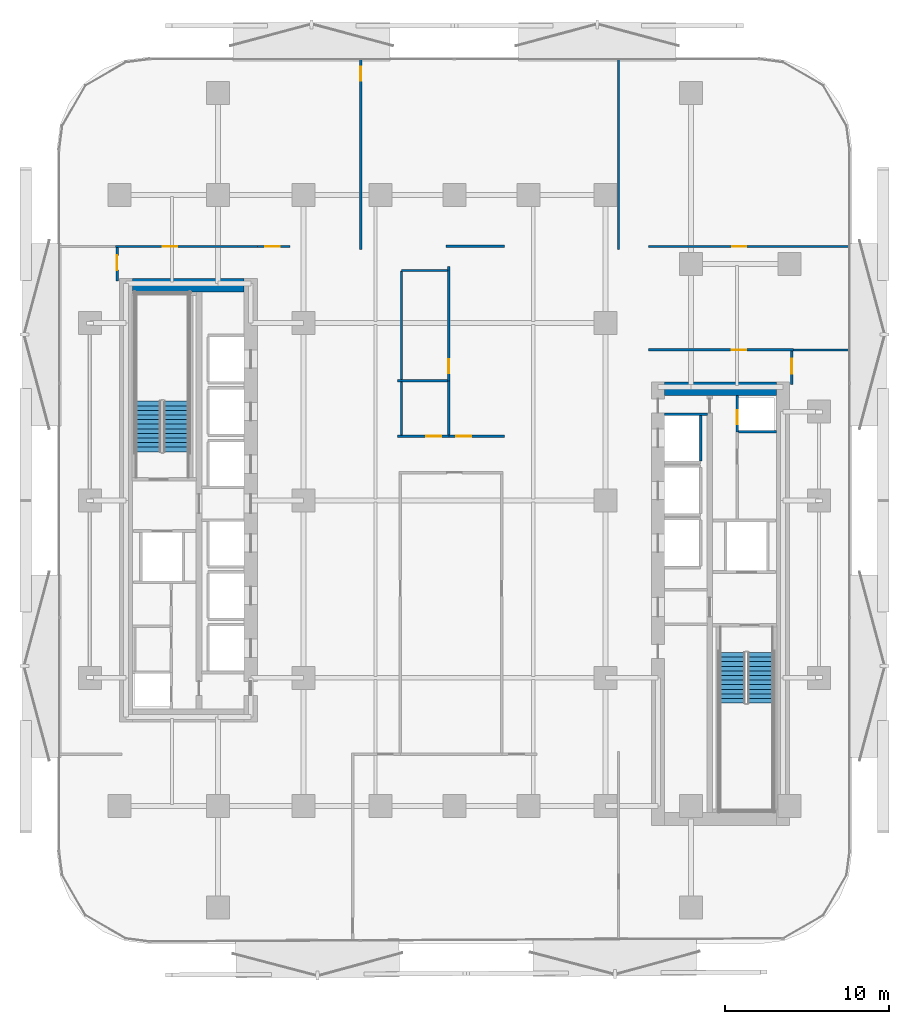
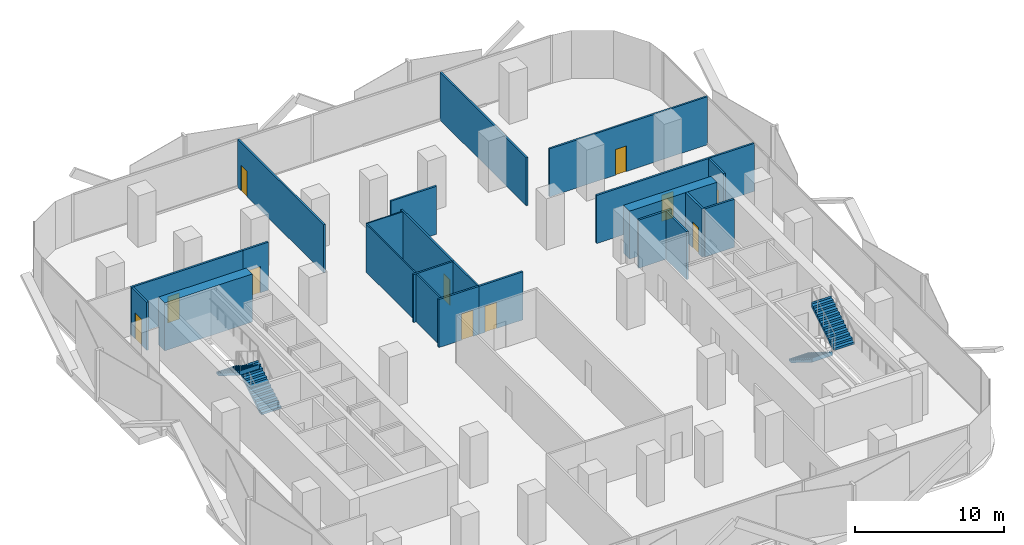
# One storey, part 5 of 15: 24 walls, 11 doors, 4 stair flights, 11 openings, 2 elements without a shape of their own.
"""IFC4 building model written with IfcOpenShell, lengths in metres."""

from ifc_helpers import new_model, si_unit, direction, frame, frame_2d, origin, place, context, subcontext, project, spatial, polyline, rectangle, outline, extrude, material, layer, layer_set, type_object, element, fill, aggregate, save


model = new_model("IFC4")

# Units and contexts
model_context = context("Model", 3, precision=1e-05, world=origin(), true_north=direction((0.0, 1.0)))
body_context = subcontext(model_context, "Body", "Model", "MODEL_VIEW")
ifc_project = project(units=[si_unit("LENGTHUNIT", "METRE"), si_unit("AREAUNIT", "SQUARE_METRE"), si_unit("VOLUMEUNIT", "CUBIC_METRE"), si_unit("PLANEANGLEUNIT", "RADIAN"), si_unit("MASSUNIT", "GRAM", prefix="KILO")], contexts=[model_context])

# Site, building, storey
site_placement = place(None, origin())
site = spatial("IfcSite", under=ifc_project, at=site_placement, CompositionType="ELEMENT")
building_placement = place(site_placement, origin())
building = spatial("IfcBuilding", under=site, at=building_placement, Name="Khairoan Windgate Tower", CompositionType="ELEMENT")
storey_placement = place(building_placement, frame((0.0, 0.0, 47.0)))
storey = spatial("IfcBuildingStorey", under=building, at=storey_placement, Name="L11", CompositionType="ELEMENT", Elevation=47.0)

# Walls
ifc_material_1 = material(Name="Moisture-Resistant Gypsum Partition", Category="gypsum")
ifc_layer_1 = layer(ifc_material_1, 0.10009765625, Name="Moisture-Resistant Gypsum Partition")
ifc_layer_set_1 = layer_set([ifc_layer_1], Name="Moisture-Resistant Gypsum Partition")
wall_type_1 = type_object("IfcWallType", Name="Bathroom Wet-Area Partition Wall", PredefinedType="PARTITIONING", material=ifc_layer_set_1)
wall_1_placement = place(storey_placement, frame((-3.219970703125, 3.97998046875, 0.0), z_axis=(0.0, 0.0, 1.0), x_axis=(0.0, 1.0, 0.0)))
element("IfcWall", 1, at=wall_1_placement, inside=storey, type_object=wall_type_1, Name="L11 Wet Room Side Wall 035", PredefinedType="PARTITIONING", context=body_context, shape_type="SweptSolid", body=[
    extrude(rectangle(XDim=3.22998046875, YDim=0.10009765625, at=frame_2d((1.614990234375, 0.0))), origin(), (0.0, 0.0, 1.0), 3.93994140625),
])
wall_2_placement = place(storey_placement, frame((-3.219970703125, 14.0, 0.0), z_axis=(0.0, 0.0, 1.0), x_axis=(1.0, 0.0, 0.0)))
element("IfcWall", 2, at=wall_2_placement, inside=storey, type_object=wall_type_1, Name="L11 Wet Room Side Wall 036", PredefinedType="PARTITIONING", context=body_context, shape_type="SweptSolid", body=[
    extrude(rectangle(XDim=2.81005859375, YDim=0.10009765625, at=frame_2d((1.405029296875, 0.0))), origin(), (0.0, 0.0, 1.0), 3.93994140625),
])
wall_3_placement = place(storey_placement, frame((-3.219970703125, 7.35009765625, 0.0), z_axis=(0.0, 0.0, 1.0), x_axis=(0.0, 1.0, 0.0)))
element("IfcWall", 3, at=wall_3_placement, inside=storey, type_object=wall_type_1, Name="L11 Wet Room Side Wall 037", PredefinedType="PARTITIONING", context=body_context, shape_type="SweptSolid", body=[
    extrude(rectangle(XDim=6.599853515625, YDim=0.10009765625, at=frame_2d((3.2998046875, 0.0))), origin(), (0.0, 0.0, 1.0), 3.93994140625),
])
ifc_material_2 = material(Name="Concrete C40/50", Category="concrete")
ifc_layer_2 = layer(ifc_material_2, 0.159912109375, Name="Concrete C40/50")
ifc_layer_set_2 = layer_set([ifc_layer_2], Name="Concrete C40/50")
wall_type_2 = type_object("IfcWallType", Name="Core and Hoistway Enclosure Wall", PredefinedType="STANDARD", material=ifc_layer_set_2)
wall_4_placement = place(storey_placement, frame((14.989990234375, 2.39990234375, 0.0), z_axis=(0.0, 0.0, 1.0), x_axis=(0.0, 1.0, 0.0)))
element("IfcWall", 4, at=wall_4_placement, inside=storey, type_object=wall_type_2, Name="L11 Lift PL7 Hoistway Back Wall", PredefinedType="STANDARD", context=body_context, shape_type="SweptSolid", body=[
    extrude(rectangle(XDim=2.800048828125, YDim=0.159912109375, at=frame_2d((1.39990234375, 0.0))), origin(), (0.0, 0.0, 1.0), 3.93994140625),
])
wall_5_placement = place(storey_placement, frame((12.800048828125, 5.25, 0.0), z_axis=(0.0, 0.0, 1.0), x_axis=(1.0, 0.0, 0.0)))
element("IfcWall", 5, at=wall_5_placement, inside=storey, type_object=wall_type_2, Name="L11 Core Shaft Wall SW-ESV-L11", PredefinedType="STANDARD", context=body_context, shape_type="SweptSolid", body=[
    extrude(rectangle(XDim=2.599853515625, YDim=0.159912109375, at=frame_2d((1.2998046875, 0.0))), origin(), (0.0, 0.0, 1.0), 3.93994140625),
])
ifc_material_3 = material(Name="Acoustic Fire-Rated Gypsum Partition", Category="gypsum")
ifc_layer_3 = layer(ifc_material_3, 0.139892578125, Name="Acoustic Fire-Rated Gypsum Partition")
ifc_layer_set_3 = layer_set([ifc_layer_3], Name="Acoustic Fire-Rated Gypsum Partition")
wall_type_3 = type_object("IfcWallType", Name="Inter-Tenancy Compartment Wall", PredefinedType="PARTITIONING", material=ifc_layer_set_3)
wall_6_placement = place(storey_placement, frame((20.639892578125, 9.159912109375, 0.0), z_axis=(0.0, 0.0, 1.0), x_axis=(1.0, 0.0, 0.0)))
element("IfcWall", 6, at=wall_6_placement, inside=storey, type_object=wall_type_3, Name="L11 Interior Partition 023", PredefinedType="PARTITIONING", context=body_context, shape_type="SweptSolid", body=[
    extrude(rectangle(XDim=3.4150390625, YDim=0.139892578125, at=frame_2d((1.70751953125, 0.0))), origin(), (0.0, 0.0, 1.0), 3.93994140625),
])

# Wall, opening, door
wall_7_placement = place(storey_placement, frame((11.81005859375, 15.4599609375, 0.0), z_axis=(0.0, 0.0, 1.0), x_axis=(1.0, 0.0, 0.0)))
wall_7 = element("IfcWall", 7, at=wall_7_placement, inside=storey, type_object=wall_type_3, Name="L11 Interior Partition 024", PredefinedType="PARTITIONING", context=body_context, shape_type="SweptSolid", body=[
    extrude(rectangle(XDim=12.244873046875, YDim=0.139892578125, at=frame_2d((6.12255859375, 0.0))), origin(), (0.0, 0.0, 1.0), 3.93994140625),
])
opening_1_placement = place(wall_7_placement, frame((5.09326171875, 0.0, 0.0)))
opening_1 = element("IfcOpeningElement", 8, at=opening_1_placement, cuts=wall_7, Name="Opening FD-SRV", PredefinedType="OPENING", context=body_context, shape_type="SweptSolid", body=[
    extrude(rectangle(XDim=0.85009765625, YDim=2.10009765625, at=frame_2d((0.425048828125, 1.050048828125))), frame((0.0, 0.079833984375, 0.0), z_axis=(0.0, -1.0, 0.0), x_axis=(1.0, 0.0, 0.0)), (0.0, 0.0, 1.0), 0.159912109375),
])
ifc_material_4 = material(Name="Steel S355", Category="steel")
door_type_1 = type_object("IfcDoorType", Name="Core Service and Riser Fire Door FD-SRV 850x2100", OperationType="NOTDEFINED", PredefinedType="DOOR", material=ifc_material_4)
door_1_placement = place(opening_1_placement, origin())
door_1 = element("IfcDoor", 9, at=door_1_placement, inside=storey, type_object=door_type_1, Name="L11 L11-37-L11-40 Door", OperationType="SINGLE_SWING_LEFT", OverallHeight=2.10009765625, OverallWidth=0.85009765625, PredefinedType="DOOR", context=body_context, shape_type="SweptSolid", body=[
    extrude(rectangle(XDim=0.85009765625, YDim=2.10009765625, at=frame_2d((0.425048828125, 1.050048828125))), frame((0.0, 0.02490234375, 0.0), z_axis=(0.0, -1.0, 0.0), x_axis=(1.0, 0.0, 0.0)), (0.0, 0.0, 1.0), 0.050048828125),
])
fill(opening_1, door_1)

wall_8_placement = place(storey_placement, frame((-5.7119140625, 15.280029296875, 0.0), z_axis=(0.0, 0.0, 1.0), x_axis=(0.0, 1.0, 0.0)))
wall_8 = element("IfcWall", 10, at=wall_8_placement, inside=storey, type_object=wall_type_3, Name="L11 Interior Partition 025", PredefinedType="PARTITIONING", context=body_context, shape_type="SweptSolid", body=[
    extrude(rectangle(XDim=11.574951171875, YDim=0.139892578125, at=frame_2d((5.78759765625, 0.0))), origin(), (0.0, 0.0, 1.0), 3.93994140625),
])
opening_2_placement = place(wall_8_placement, frame((10.264892578125, 0.0, 0.0)))
opening_2 = element("IfcOpeningElement", 11, at=opening_2_placement, cuts=wall_8, Name="Opening FD-SRV", PredefinedType="OPENING", context=body_context, shape_type="SweptSolid", body=[
    extrude(rectangle(XDim=0.85009765625, YDim=2.10009765625, at=frame_2d((0.425048828125, 1.050048828125))), frame((0.0, 0.079833984375, 0.0), z_axis=(0.0, -1.0, 0.0), x_axis=(1.0, 0.0, 0.0)), (0.0, 0.0, 1.0), 0.159912109375),
])
door_2_placement = place(opening_2_placement, origin())
door_2 = element("IfcDoor", 12, at=door_2_placement, inside=storey, type_object=door_type_1, Name="L11 L11-38-L11-39 Door", OperationType="SINGLE_SWING_RIGHT", OverallHeight=2.10009765625, OverallWidth=0.85009765625, PredefinedType="DOOR", context=body_context, shape_type="SweptSolid", body=[
    extrude(rectangle(XDim=0.85009765625, YDim=2.10009765625, at=frame_2d((0.425048828125, 1.050048828125))), frame((0.0, 0.02490234375, 0.0), z_axis=(0.0, -1.0, 0.0), x_axis=(1.0, 0.0, 0.0)), (0.0, 0.0, 1.0), 0.050048828125),
])
fill(opening_2, door_2)

# Walls
wall_9_placement = place(storey_placement, frame((9.99609375, 15.280029296875, 0.0), z_axis=(0.0, 0.0, 1.0), x_axis=(0.0, 1.0, 0.0)))
element("IfcWall", 13, at=wall_9_placement, inside=storey, type_object=wall_type_3, Name="L11 Interior Partition 026", PredefinedType="PARTITIONING", context=body_context, shape_type="SweptSolid", body=[
    extrude(rectangle(XDim=11.574951171875, YDim=0.139892578125, at=frame_2d((5.78759765625, 0.0))), origin(), (0.0, 0.0, 1.0), 3.93994140625),
])
wall_10_placement = place(storey_placement, frame((-0.5, 15.47998046875, 0.0), z_axis=(0.0, 0.0, 1.0), x_axis=(1.0, 0.0, 0.0)))
element("IfcWall", 14, at=wall_10_placement, inside=storey, type_object=wall_type_3, Name="L11 Interior Partition 027", PredefinedType="PARTITIONING", context=body_context, shape_type="SweptSolid", body=[
    extrude(rectangle(XDim=3.56005859375, YDim=0.139892578125, at=frame_2d((1.780029296875, 0.0))), origin(), (0.0, 0.0, 1.0), 3.93994140625),
])
wall_11_placement = place(storey_placement, frame((-3.4599609375, 7.280029296875, 0.0), z_axis=(0.0, 0.0, 1.0), x_axis=(1.0, 0.0, 0.0)))
element("IfcWall", 15, at=wall_11_placement, inside=storey, type_object=wall_type_3, Name="L11 Interior Partition 031", PredefinedType="PARTITIONING", context=body_context, shape_type="SweptSolid", body=[
    extrude(rectangle(XDim=3.050048828125, YDim=0.139892578125, at=frame_2d((1.52490234375, 0.0))), origin(), (0.0, 0.0, 1.0), 3.93994140625),
])
wall_12_placement = place(storey_placement, frame((-0.340087890625, 3.97998046875, 0.0), z_axis=(0.0, 0.0, 1.0), x_axis=(0.0, 1.0, 0.0)))
element("IfcWall", 16, at=wall_12_placement, inside=storey, type_object=wall_type_3, Name="L11 Interior Partition 032", PredefinedType="PARTITIONING", context=body_context, shape_type="SweptSolid", body=[
    extrude(rectangle(XDim=3.300048828125, YDim=0.139892578125, at=frame_2d((1.64990234375, 0.0))), origin(), (0.0, 0.0, 1.0), 3.93994140625),
])

# Wall, opening, door
wall_13_placement = place(storey_placement, frame((-0.340087890625, 7.280029296875, 0.0), z_axis=(0.0, 0.0, 1.0), x_axis=(0.0, 1.0, 0.0)))
wall_13 = element("IfcWall", 17, at=wall_13_placement, inside=storey, type_object=wall_type_3, Name="L11 Interior Partition 033", PredefinedType="PARTITIONING", context=body_context, shape_type="SweptSolid", body=[
    extrude(rectangle(XDim=6.9599609375, YDim=0.139892578125, at=frame_2d((3.47998046875, 0.0))), origin(), (0.0, 0.0, 1.0), 3.93994140625),
])
opening_3_placement = place(wall_13_placement, frame((0.4599609375, 0.0, 0.0)))
opening_3 = element("IfcOpeningElement", 18, at=opening_3_placement, cuts=wall_13, Name="Opening FD-SRV", PredefinedType="OPENING", context=body_context, shape_type="SweptSolid", body=[
    extrude(rectangle(XDim=0.85009765625, YDim=2.10009765625, at=frame_2d((0.425048828125, 1.050048828125))), frame((0.0, 0.079833984375, 0.0), z_axis=(0.0, -1.0, 0.0), x_axis=(1.0, 0.0, 0.0)), (0.0, 0.0, 1.0), 0.159912109375),
])
door_3_placement = place(opening_3_placement, origin())
door_3 = element("IfcDoor", 19, at=door_3_placement, inside=storey, type_object=door_type_1, Name="L11 L11-45-L11-46 Door", OperationType="SINGLE_SWING_LEFT", OverallHeight=2.10009765625, OverallWidth=0.85009765625, PredefinedType="DOOR", context=body_context, shape_type="SweptSolid", body=[
    extrude(rectangle(XDim=0.85009765625, YDim=2.10009765625, at=frame_2d((0.425048828125, 1.050048828125))), frame((0.0, 0.02490234375, 0.0), z_axis=(0.0, -1.0, 0.0), x_axis=(1.0, 0.0, 0.0)), (0.0, 0.0, 1.0), 0.050048828125),
])
fill(opening_3, door_3)

ifc_material_5 = material(Name="Concrete C40/50", Category="concrete")
ifc_layer_4 = layer(ifc_material_5, 0.159912109375, Name="Concrete C40/50")
ifc_layer_set_4 = layer_set([ifc_layer_4], Name="Concrete C40/50")
wall_type_4 = type_object("IfcWallType", Name="Plant and Refuge Compartment Wall", PredefinedType="PARTITIONING", material=ifc_layer_set_4)
wall_14_placement = place(storey_placement, frame((17.22998046875, 4.169921875, 0.0), z_axis=(0.0, 0.0, 1.0), x_axis=(0.0, 1.0, 0.0)))
wall_14 = element("IfcWall", 20, at=wall_14_placement, inside=storey, type_object=wall_type_4, Name="L11 Interior Partition 006", PredefinedType="PARTITIONING", context=body_context, shape_type="SweptSolid", body=[
    extrude(rectangle(XDim=2.22998046875, YDim=0.159912109375, at=frame_2d((1.114990234375, 0.0))), origin(), (0.0, 0.0, 1.0), 3.93994140625),
])
opening_4_placement = place(wall_14_placement, frame((0.4599609375, 0.0, 0.0)))
opening_4 = element("IfcOpeningElement", 21, at=opening_4_placement, cuts=wall_14, Name="Opening FD-SRV", PredefinedType="OPENING", context=body_context, shape_type="SweptSolid", body=[
    extrude(rectangle(XDim=0.85009765625, YDim=2.10009765625, at=frame_2d((0.425048828125, 1.050048828125))), frame((0.0, 0.08984375, 0.0), z_axis=(0.0, -1.0, 0.0), x_axis=(1.0, 0.0, 0.0)), (0.0, 0.0, 1.0), 0.179931640625),
])
door_4_placement = place(opening_4_placement, origin())
door_4 = element("IfcDoor", 22, at=door_4_placement, inside=storey, type_object=door_type_1, Name="L11 L11-19-L11-20 Door", OperationType="SINGLE_SWING_LEFT", OverallHeight=2.10009765625, OverallWidth=0.85009765625, PredefinedType="DOOR", context=body_context, shape_type="SweptSolid", body=[
    extrude(rectangle(XDim=0.85009765625, YDim=2.10009765625, at=frame_2d((0.425048828125, 1.050048828125))), frame((0.0, 0.02490234375, 0.0), z_axis=(0.0, -1.0, 0.0), x_axis=(1.0, 0.0, 0.0)), (0.0, 0.0, 1.0), 0.050048828125),
])
fill(opening_4, door_4)

# Wall
wall_15_placement = place(storey_placement, frame((17.31005859375, 4.169921875, 0.0), z_axis=(0.0, 0.0, 1.0), x_axis=(1.0, 0.0, 0.0)))
element("IfcWall", 23, at=wall_15_placement, inside=storey, type_object=wall_type_4, Name="L11 Interior Partition 008", PredefinedType="PARTITIONING", context=body_context, shape_type="SweptSolid", body=[
    extrude(rectangle(XDim=2.2900390625, YDim=0.159912109375, at=frame_2d((1.14501953125, 0.0))), origin(), (0.0, 0.0, 1.0), 3.93994140625),
])

# Wall, opening, door
ifc_material_6 = material(Name="Acoustic Fire-Rated Gypsum Partition", Category="gypsum")
ifc_layer_5 = layer(ifc_material_6, 0.14990234375, Name="Acoustic Fire-Rated Gypsum Partition")
ifc_layer_set_5 = layer_set([ifc_layer_5], Name="Acoustic Fire-Rated Gypsum Partition")
wall_type_5 = type_object("IfcWallType", Name="Rated Corridor Partition Wall", PredefinedType="PARTITIONING", material=ifc_layer_set_5)
wall_16_placement = place(storey_placement, frame((-11.989990234375, 15.4599609375, 0.0), z_axis=(0.0, 0.0, 1.0), x_axis=(1.0, 0.0, 0.0)))
wall_16 = element("IfcWall", 24, at=wall_16_placement, inside=storey, type_object=wall_type_5, Name="L11 Interior Partition 009", PredefinedType="PARTITIONING", context=body_context, shape_type="SweptSolid", body=[
    extrude(rectangle(XDim=1.97998046875, YDim=0.14990234375, at=frame_2d((0.989990234375, 0.0))), origin(), (0.0, 0.0, 1.0), 3.93994140625),
])
opening_5_placement = place(wall_16_placement, frame((0.4599609375, 0.0, 0.0)))
opening_5 = element("IfcOpeningElement", 25, at=opening_5_placement, cuts=wall_16, Name="Opening FD-ENT", PredefinedType="OPENING", context=body_context, shape_type="SweptSolid", body=[
    extrude(rectangle(XDim=0.89990234375, YDim=2.14990234375, at=frame_2d((0.449951171875, 1.074951171875))), frame((0.0, 0.0849609375, 0.0), z_axis=(0.0, -1.0, 0.0), x_axis=(1.0, 0.0, 0.0)), (0.0, 0.0, 1.0), 0.169921875),
])
ifc_material_7 = material(Name="Timber Fire-Rated Core", Category="wood")
door_type_2 = type_object("IfcDoorType", Name="Unit and Office Fire Entrance Door FD-ENT 900x2150", OperationType="NOTDEFINED", PredefinedType="DOOR", material=ifc_material_7)
door_5_placement = place(opening_5_placement, origin())
door_5 = element("IfcDoor", 26, at=door_5_placement, inside=storey, type_object=door_type_2, Name="L11 L11-28-L11-38 Door", OperationType="SINGLE_SWING_LEFT", OverallHeight=2.14990234375, OverallWidth=0.89990234375, PredefinedType="DOOR", context=body_context, shape_type="SweptSolid", body=[
    extrude(rectangle(XDim=0.89990234375, YDim=2.14990234375, at=frame_2d((0.449951171875, 1.074951171875))), frame((0.0, 0.02490234375, 0.0), z_axis=(0.0, -1.0, 0.0), x_axis=(1.0, 0.0, 0.0)), (0.0, 0.0, 1.0), 0.050048828125),
])
fill(opening_5, door_5)

wall_17_placement = place(storey_placement, frame((-3.4599609375, 3.905029296875, 0.0), z_axis=(0.0, 0.0, 1.0), x_axis=(1.0, 0.0, 0.0)))
wall_17 = element("IfcWall", 27, at=wall_17_placement, inside=storey, type_object=wall_type_5, Name="L11 Interior Partition 010", PredefinedType="PARTITIONING", context=body_context, shape_type="SweptSolid", body=[
    extrude(rectangle(XDim=3.119873046875, YDim=0.14990234375, at=frame_2d((1.56005859375, 0.0))), origin(), (0.0, 0.0, 1.0), 3.93994140625),
])
opening_6_placement = place(wall_17_placement, frame((1.760009765625, 0.0, 0.0)))
opening_6 = element("IfcOpeningElement", 28, at=opening_6_placement, cuts=wall_17, Name="Opening FD-ENT", PredefinedType="OPENING", context=body_context, shape_type="SweptSolid", body=[
    extrude(rectangle(XDim=0.89990234375, YDim=2.14990234375, at=frame_2d((0.449951171875, 1.074951171875))), frame((0.0, 0.0849609375, 0.0), z_axis=(0.0, -1.0, 0.0), x_axis=(1.0, 0.0, 0.0)), (0.0, 0.0, 1.0), 0.169921875),
])
door_6_placement = place(opening_6_placement, origin())
door_6 = element("IfcDoor", 29, at=door_6_placement, inside=storey, type_object=door_type_2, Name="L11 L11-30-L11-44 Door", OperationType="SINGLE_SWING_RIGHT", OverallHeight=2.14990234375, OverallWidth=0.89990234375, PredefinedType="DOOR", context=body_context, shape_type="SweptSolid", body=[
    extrude(rectangle(XDim=0.89990234375, YDim=2.14990234375, at=frame_2d((0.449951171875, 1.074951171875))), frame((0.0, 0.02490234375, 0.0), z_axis=(0.0, -1.0, 0.0), x_axis=(1.0, 0.0, 0.0)), (0.0, 0.0, 1.0), 0.050048828125),
])
fill(opening_6, door_6)

wall_18_placement = place(storey_placement, frame((-0.340087890625, 3.905029296875, 0.0), z_axis=(0.0, 0.0, 1.0), x_axis=(1.0, 0.0, 0.0)))
wall_18 = element("IfcWall", 30, at=wall_18_placement, inside=storey, type_object=wall_type_5, Name="L11 Interior Partition 011", PredefinedType="PARTITIONING", context=body_context, shape_type="SweptSolid", body=[
    extrude(rectangle(XDim=3.400146484375, YDim=0.14990234375, at=frame_2d((1.7001953125, 0.0))), origin(), (0.0, 0.0, 1.0), 3.93994140625),
])
opening_7_placement = place(wall_18_placement, frame((0.4599609375, 0.0, 0.0)))
opening_7 = element("IfcOpeningElement", 31, at=opening_7_placement, cuts=wall_18, Name="Opening FD-ENT", PredefinedType="OPENING", context=body_context, shape_type="SweptSolid", body=[
    extrude(rectangle(XDim=0.89990234375, YDim=2.14990234375, at=frame_2d((0.449951171875, 1.074951171875))), frame((0.0, 0.0849609375, 0.0), z_axis=(0.0, -1.0, 0.0), x_axis=(1.0, 0.0, 0.0)), (0.0, 0.0, 1.0), 0.169921875),
])
door_7_placement = place(opening_7_placement, origin())
door_7 = element("IfcDoor", 32, at=door_7_placement, inside=storey, type_object=door_type_2, Name="L11 L11-30-L11-46 Door", OperationType="SINGLE_SWING_LEFT", OverallHeight=2.14990234375, OverallWidth=0.89990234375, PredefinedType="DOOR", context=body_context, shape_type="SweptSolid", body=[
    extrude(rectangle(XDim=0.89990234375, YDim=2.14990234375, at=frame_2d((0.449951171875, 1.074951171875))), frame((0.0, 0.02490234375, 0.0), z_axis=(0.0, -1.0, 0.0), x_axis=(1.0, 0.0, 0.0)), (0.0, 0.0, 1.0), 0.050048828125),
])
fill(opening_7, door_7)

wall_19_placement = place(storey_placement, frame((-20.5400390625, 13.360107421875, 0.0), z_axis=(0.0, 0.0, 1.0), x_axis=(0.0, 1.0, 0.0)))
wall_19 = element("IfcWall", 33, at=wall_19_placement, inside=storey, type_object=wall_type_5, Name="L11 Interior Partition 017", PredefinedType="PARTITIONING", context=body_context, shape_type="SweptSolid", body=[
    extrude(rectangle(XDim=2.02490234375, YDim=0.14990234375, at=frame_2d((1.012451171875, 0.0))), origin(), (0.0, 0.0, 1.0), 3.93994140625),
])
opening_8_placement = place(wall_19_placement, frame((0.6650390625, 0.0, 0.0)))
opening_8 = element("IfcOpeningElement", 34, at=opening_8_placement, cuts=wall_19, Name="Opening FD-ENT", PredefinedType="OPENING", context=body_context, shape_type="SweptSolid", body=[
    extrude(rectangle(XDim=0.89990234375, YDim=2.14990234375, at=frame_2d((0.449951171875, 1.074951171875))), frame((0.0, 0.0849609375, 0.0), z_axis=(0.0, -1.0, 0.0), x_axis=(1.0, 0.0, 0.0)), (0.0, 0.0, 1.0), 0.169921875),
])
door_8_placement = place(opening_8_placement, origin())
door_8 = element("IfcDoor", 35, at=door_8_placement, inside=storey, type_object=door_type_2, Name="L11 L11-33-L11-35 Door", OperationType="SINGLE_SWING_LEFT", OverallHeight=2.14990234375, OverallWidth=0.89990234375, PredefinedType="DOOR", context=body_context, shape_type="SweptSolid", body=[
    extrude(rectangle(XDim=0.89990234375, YDim=2.14990234375, at=frame_2d((0.449951171875, 1.074951171875))), frame((0.0, 0.02490234375, 0.0), z_axis=(0.0, -1.0, 0.0), x_axis=(1.0, 0.0, 0.0)), (0.0, 0.0, 1.0), 0.050048828125),
])
fill(opening_8, door_8)

wall_20_placement = place(storey_placement, frame((-20.639892578125, 15.4599609375, 0.0), z_axis=(0.0, 0.0, 1.0), x_axis=(1.0, 0.0, 0.0)))
wall_20 = element("IfcWall", 36, at=wall_20_placement, inside=storey, type_object=wall_type_5, Name="L11 Interior Partition 018", PredefinedType="PARTITIONING", context=body_context, shape_type="SweptSolid", body=[
    extrude(rectangle(XDim=8.64990234375, YDim=0.14990234375, at=frame_2d((4.324951171875, 0.0))), origin(), (0.0, 0.0, 1.0), 3.93994140625),
])
opening_9_placement = place(wall_20_placement, frame((2.87060546875, 0.0, 0.0)))
opening_9 = element("IfcOpeningElement", 37, at=opening_9_placement, cuts=wall_20, Name="Opening FD-ENT", PredefinedType="OPENING", context=body_context, shape_type="SweptSolid", body=[
    extrude(rectangle(XDim=0.89990234375, YDim=2.14990234375, at=frame_2d((0.449951171875, 1.074951171875))), frame((0.0, 0.0849609375, 0.0), z_axis=(0.0, -1.0, 0.0), x_axis=(1.0, 0.0, 0.0)), (0.0, 0.0, 1.0), 0.169921875),
])
door_9_placement = place(opening_9_placement, origin())
door_9 = element("IfcDoor", 38, at=door_9_placement, inside=storey, type_object=door_type_2, Name="L11 L11-33-L11-38 Door", OperationType="SINGLE_SWING_RIGHT", OverallHeight=2.14990234375, OverallWidth=0.89990234375, PredefinedType="DOOR", context=body_context, shape_type="SweptSolid", body=[
    extrude(rectangle(XDim=0.89990234375, YDim=2.14990234375, at=frame_2d((0.449951171875, 1.074951171875))), frame((0.0, 0.02490234375, 0.0), z_axis=(0.0, -1.0, 0.0), x_axis=(1.0, 0.0, 0.0)), (0.0, 0.0, 1.0), 0.050048828125),
])
fill(opening_9, door_9)

wall_21_placement = place(storey_placement, frame((20.5400390625, 7.06005859375, 0.0), z_axis=(0.0, 0.0, 1.0), x_axis=(0.0, 1.0, 0.0)))
wall_21 = element("IfcWall", 39, at=wall_21_placement, inside=storey, type_object=wall_type_5, Name="L11 Interior Partition 019", PredefinedType="PARTITIONING", context=body_context, shape_type="SweptSolid", body=[
    extrude(rectangle(XDim=2.02490234375, YDim=0.14990234375, at=frame_2d((1.012451171875, 0.0))), origin(), (0.0, 0.0, 1.0), 3.93994140625),
])
opening_10_placement = place(wall_21_placement, frame((0.6650390625, 0.0, 0.0)))
opening_10 = element("IfcOpeningElement", 40, at=opening_10_placement, cuts=wall_21, Name="Opening FD-ENT", PredefinedType="OPENING", context=body_context, shape_type="SweptSolid", body=[
    extrude(rectangle(XDim=0.89990234375, YDim=2.14990234375, at=frame_2d((0.449951171875, 1.074951171875))), frame((0.0, 0.0849609375, 0.0), z_axis=(0.0, -1.0, 0.0), x_axis=(1.0, 0.0, 0.0)), (0.0, 0.0, 1.0), 0.169921875),
])
door_10_placement = place(opening_10_placement, origin())
door_10 = element("IfcDoor", 41, at=door_10_placement, inside=storey, type_object=door_type_2, Name="L11 L11-34-L11-36 Door", OperationType="SINGLE_SWING_LEFT", OverallHeight=2.14990234375, OverallWidth=0.89990234375, PredefinedType="DOOR", context=body_context, shape_type="SweptSolid", body=[
    extrude(rectangle(XDim=0.89990234375, YDim=2.14990234375, at=frame_2d((0.449951171875, 1.074951171875))), frame((0.0, 0.02490234375, 0.0), z_axis=(0.0, -1.0, 0.0), x_axis=(1.0, 0.0, 0.0)), (0.0, 0.0, 1.0), 0.050048828125),
])
fill(opening_10, door_10)

wall_22_placement = place(storey_placement, frame((11.81005859375, 9.159912109375, 0.0), z_axis=(0.0, 0.0, 1.0), x_axis=(1.0, 0.0, 0.0)))
wall_22 = element("IfcWall", 42, at=wall_22_placement, inside=storey, type_object=wall_type_5, Name="L11 Interior Partition 020", PredefinedType="PARTITIONING", context=body_context, shape_type="SweptSolid", body=[
    extrude(rectangle(XDim=8.829833984375, YDim=0.14990234375, at=frame_2d((4.4150390625, 0.0))), origin(), (0.0, 0.0, 1.0), 3.93994140625),
])
opening_11_placement = place(wall_22_placement, frame((5.066650390625, 0.0, 0.0)))
opening_11 = element("IfcOpeningElement", 43, at=opening_11_placement, cuts=wall_22, Name="Opening FD-ENT", PredefinedType="OPENING", context=body_context, shape_type="SweptSolid", body=[
    extrude(rectangle(XDim=0.89990234375, YDim=2.14990234375, at=frame_2d((0.449951171875, 1.074951171875))), frame((0.0, 0.0849609375, 0.0), z_axis=(0.0, -1.0, 0.0), x_axis=(1.0, 0.0, 0.0)), (0.0, 0.0, 1.0), 0.169921875),
])
door_11_placement = place(opening_11_placement, origin())
door_11 = element("IfcDoor", 44, at=door_11_placement, inside=storey, type_object=door_type_2, Name="L11 L11-34-L11-37 Door", OperationType="SINGLE_SWING_RIGHT", OverallHeight=2.14990234375, OverallWidth=0.89990234375, PredefinedType="DOOR", context=body_context, shape_type="SweptSolid", body=[
    extrude(rectangle(XDim=0.89990234375, YDim=2.14990234375, at=frame_2d((0.449951171875, 1.074951171875))), frame((0.0, 0.02490234375, 0.0), z_axis=(0.0, -1.0, 0.0), x_axis=(1.0, 0.0, 0.0)), (0.0, 0.0, 1.0), 0.050048828125),
])
fill(opening_11, door_11)

# Walls
ifc_material_8 = material(Name="Concrete C70/85", Category="concrete")
ifc_layer_6 = layer(ifc_material_8, 0.800048828125, Name="Concrete C70/85")
ifc_layer_set_6 = layer_set([ifc_layer_6], Name="Concrete C70/85")
wall_type_6 = type_object("IfcWallType", Name="Shear Wall CW-E1 800mm", PredefinedType="SHEAR", material=ifc_layer_set_6)
wall_23_placement = place(storey_placement, frame((12.800048828125, 6.800048828125, 0.0), z_axis=(0.0, 0.0, 1.0), x_axis=(1.0, 0.0, 0.0)))
element("IfcWall", 45, at=wall_23_placement, inside=storey, type_object=wall_type_6, Name="E Core North Shear Wall L11", PredefinedType="SHEAR", context=body_context, shape_type="SweptSolid", body=[
    extrude(rectangle(XDim=6.800048828125, YDim=0.800048828125, at=frame_2d((3.39990234375, 0.0))), origin(), (0.0, 0.0, 1.0), 3.93994140625),
])
ifc_material_9 = material(Name="Concrete C70/85", Category="concrete")
ifc_layer_7 = layer(ifc_material_9, 0.800048828125, Name="Concrete C70/85")
ifc_layer_set_7 = layer_set([ifc_layer_7], Name="Concrete C70/85")
wall_type_7 = type_object("IfcWallType", Name="Shear Wall CW-W1 800mm", PredefinedType="SHEAR", material=ifc_layer_set_7)
wall_24_placement = place(storey_placement, frame((-19.60009765625, 13.10009765625, 0.0), z_axis=(0.0, 0.0, 1.0), x_axis=(1.0, 0.0, 0.0)))
element("IfcWall", 46, at=wall_24_placement, inside=storey, type_object=wall_type_7, Name="W Core North Shear Wall L11", PredefinedType="SHEAR", context=body_context, shape_type="SweptSolid", body=[
    extrude(rectangle(XDim=6.800048828125, YDim=0.800048828125, at=frame_2d((3.39990234375, 0.0))), origin(), (0.0, 0.0, 1.0), 3.93994140625),
])

# Stair, stair flights
ifc_material_10 = material(Name="Concrete C40/50", Category="concrete")
stair_type = type_object("IfcStairType", Name="Tower Core Dog-Leg Stair ST-T1 1560mm", PredefinedType="HALF_TURN_STAIR", material=ifc_material_10)
stair_1_placement = place(storey_placement, origin())
stair_1 = element("IfcStair", 47, at=stair_1_placement, inside=storey, type_object=stair_type, Name="L11 Stair ST1", PredefinedType="HALF_TURN_STAIR")
ifc_material_11 = material(Name="Concrete C40/50", Category="concrete")
ifc_layer_8 = layer(ifc_material_11, 0.14990234375, Name="Concrete C40/50")
ifc_layer_set_8 = layer_set([ifc_layer_8], Name="Concrete C40/50")
stair_flight_type = type_object("IfcStairFlightType", Name="Tower Core Stair Flight STF-1560", PredefinedType="STRAIGHT", material=ifc_layer_set_8)
stair_flight_1_placement = place(storey_placement, frame((16.929931640625, -9.260009765625, 0.0), z_axis=(0.0, 0.0, 1.0), x_axis=(0.0, -1.0, 0.0)))
stair_flight_1 = element("IfcStairFlight", 48, at=stair_flight_1_placement, type_object=stair_flight_type, Name="ST1 flight 1", NumberOfRisers=12, NumberOfTreads=11, PredefinedType="STRAIGHT", RiserHeight=0.175, TreadLength=0.28, context=body_context, shape_type="SweptSolid", body=[
    extrude(outline(polyline([(-0.00390625, 0.0), (-0.00390625, 0.175048828125), (0.0, 0.175048828125), (0.280029296875, 0.175048828125), (0.280029296875, 0.35009765625), (0.56005859375, 0.35009765625), (0.56005859375, 0.52490234375), (0.840087890625, 0.52490234375), (0.840087890625, 0.699951171875), (1.1201171875, 0.699951171875), (1.1201171875, 0.875), (1.39990234375, 0.875), (1.39990234375, 1.050048828125), (1.679931640625, 1.050048828125), (1.679931640625, 1.22509765625), (1.9599609375, 1.22509765625), (1.9599609375, 1.39990234375), (2.239990234375, 1.39990234375), (2.239990234375, 1.574951171875), (2.52001953125, 1.574951171875), (2.52001953125, 1.75), (2.800048828125, 1.75), (2.800048828125, 1.925048828125), (3.080078125, 1.925048828125), (3.080078125, 2.10009765625), (3.083984375, 2.10009765625), (3.083984375, 1.748291015625), (0.28271484375, 0.0), (-0.00390625, 0.0)])), frame((0.0, 0.780029296875, 0.0), z_axis=(0.0, -1.0, 0.0), x_axis=(1.0, 0.0, 0.0)), (0.0, 0.0, 1.0), 1.56005859375),
])
stair_flight_2_placement = place(storey_placement, frame((18.639892578125, -12.340087890625, 2.10009765625), z_axis=(0.0, 0.0, 1.0), x_axis=(0.0, 1.0, 0.0)))
stair_flight_2 = element("IfcStairFlight", 49, at=stair_flight_2_placement, type_object=stair_flight_type, Name="ST1 flight 2", NumberOfRisers=12, NumberOfTreads=11, PredefinedType="STRAIGHT", RiserHeight=0.175, TreadLength=0.28, context=body_context, shape_type="SweptSolid", body=[
    extrude(outline(polyline([(-0.00390625, 0.0), (-0.00390625, 0.175048828125), (0.0, 0.175048828125), (0.280029296875, 0.175048828125), (0.280029296875, 0.35009765625), (0.56005859375, 0.35009765625), (0.56005859375, 0.52490234375), (0.840087890625, 0.52490234375), (0.840087890625, 0.699951171875), (1.1201171875, 0.699951171875), (1.1201171875, 0.875), (1.39990234375, 0.875), (1.39990234375, 1.050048828125), (1.679931640625, 1.050048828125), (1.679931640625, 1.22509765625), (1.9599609375, 1.22509765625), (1.9599609375, 1.39990234375), (2.239990234375, 1.39990234375), (2.239990234375, 1.574951171875), (2.52001953125, 1.574951171875), (2.52001953125, 1.75), (2.800048828125, 1.75), (2.800048828125, 1.925048828125), (3.080078125, 1.925048828125), (3.080078125, 2.10009765625), (3.083984375, 2.10009765625), (3.083984375, 1.748291015625), (0.28271484375, 0.0), (-0.00390625, 0.0)])), frame((0.0, 0.780029296875, 0.0), z_axis=(0.0, -1.0, 0.0), x_axis=(1.0, 0.0, 0.0)), (0.0, 0.0, 1.0), 1.56005859375),
])
aggregate(stair_1, [stair_flight_1, stair_flight_2])

stair_2_placement = place(storey_placement, origin())
stair_2 = element("IfcStair", 50, at=stair_2_placement, inside=storey, type_object=stair_type, Name="L11 Stair ST2", PredefinedType="HALF_TURN_STAIR")
stair_flight_3_placement = place(storey_placement, frame((-16.929931640625, 2.9599609375, 0.0), z_axis=(0.0, 0.0, 1.0), x_axis=(0.0, 1.0, 0.0)))
stair_flight_3 = element("IfcStairFlight", 51, at=stair_flight_3_placement, type_object=stair_flight_type, Name="ST2 flight 1", NumberOfRisers=12, NumberOfTreads=11, PredefinedType="STRAIGHT", RiserHeight=0.175, TreadLength=0.28, context=body_context, shape_type="SweptSolid", body=[
    extrude(outline(polyline([(-0.00390625, 0.0), (-0.00390625, 0.175048828125), (0.0, 0.175048828125), (0.280029296875, 0.175048828125), (0.280029296875, 0.35009765625), (0.56005859375, 0.35009765625), (0.56005859375, 0.52490234375), (0.840087890625, 0.52490234375), (0.840087890625, 0.699951171875), (1.1201171875, 0.699951171875), (1.1201171875, 0.875), (1.39990234375, 0.875), (1.39990234375, 1.050048828125), (1.679931640625, 1.050048828125), (1.679931640625, 1.22509765625), (1.9599609375, 1.22509765625), (1.9599609375, 1.39990234375), (2.239990234375, 1.39990234375), (2.239990234375, 1.574951171875), (2.52001953125, 1.574951171875), (2.52001953125, 1.75), (2.800048828125, 1.75), (2.800048828125, 1.925048828125), (3.080078125, 1.925048828125), (3.080078125, 2.10009765625), (3.083984375, 2.10009765625), (3.083984375, 1.748291015625), (0.28271484375, 0.0), (-0.00390625, 0.0)])), frame((0.0, 0.780029296875, 0.0), z_axis=(0.0, -1.0, 0.0), x_axis=(1.0, 0.0, 0.0)), (0.0, 0.0, 1.0), 1.56005859375),
])
stair_flight_4_placement = place(storey_placement, frame((-18.639892578125, 6.0400390625, 2.10009765625), z_axis=(0.0, 0.0, 1.0), x_axis=(0.0, -1.0, 0.0)))
stair_flight_4 = element("IfcStairFlight", 52, at=stair_flight_4_placement, type_object=stair_flight_type, Name="ST2 flight 2", NumberOfRisers=12, NumberOfTreads=11, PredefinedType="STRAIGHT", RiserHeight=0.175, TreadLength=0.28, context=body_context, shape_type="SweptSolid", body=[
    extrude(outline(polyline([(-0.00390625, 0.0), (-0.00390625, 0.175048828125), (0.0, 0.175048828125), (0.280029296875, 0.175048828125), (0.280029296875, 0.35009765625), (0.56005859375, 0.35009765625), (0.56005859375, 0.52490234375), (0.840087890625, 0.52490234375), (0.840087890625, 0.699951171875), (1.1201171875, 0.699951171875), (1.1201171875, 0.875), (1.39990234375, 0.875), (1.39990234375, 1.050048828125), (1.679931640625, 1.050048828125), (1.679931640625, 1.22509765625), (1.9599609375, 1.22509765625), (1.9599609375, 1.39990234375), (2.239990234375, 1.39990234375), (2.239990234375, 1.574951171875), (2.52001953125, 1.574951171875), (2.52001953125, 1.75), (2.800048828125, 1.75), (2.800048828125, 1.925048828125), (3.080078125, 1.925048828125), (3.080078125, 2.10009765625), (3.083984375, 2.10009765625), (3.083984375, 1.748291015625), (0.28271484375, 0.0), (-0.00390625, 0.0)])), frame((0.0, 0.780029296875, 0.0), z_axis=(0.0, -1.0, 0.0), x_axis=(1.0, 0.0, 0.0)), (0.0, 0.0, 1.0), 1.56005859375),
])
aggregate(stair_2, [stair_flight_3, stair_flight_4])

save(model, "model.ifc")
